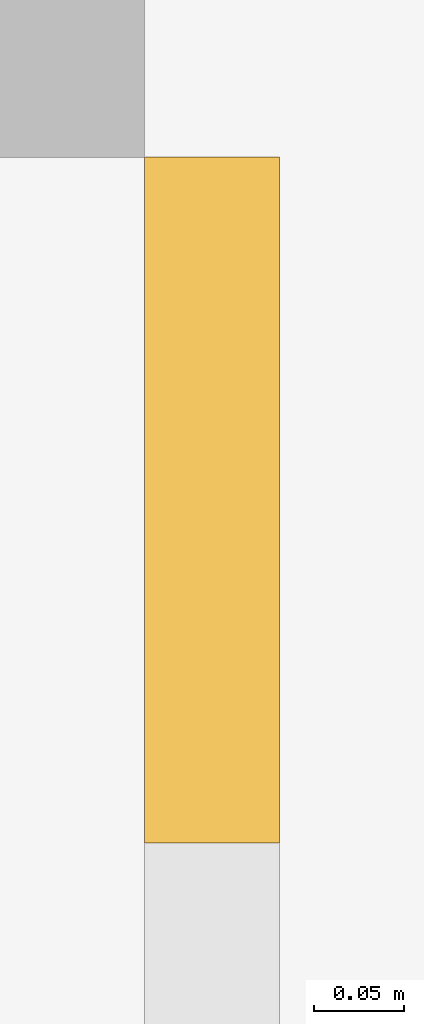
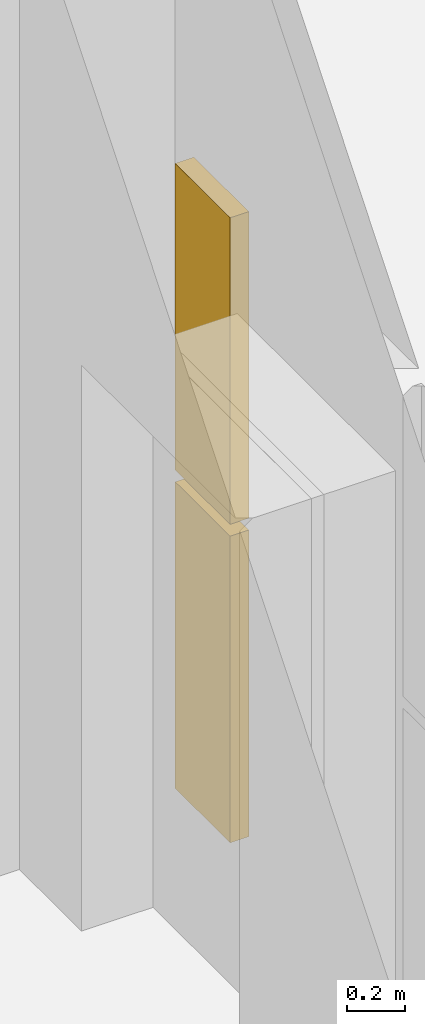
# One storey, part 129 of 139: 2 coverings.
"""IFC4 building model written with IfcOpenShell, lengths in metres."""

from ifc_helpers import new_model, si_unit, direction, frame, origin, origin_2d, place, context, subcontext, project, spatial, rectangle, extrude, material, layer, layer_set, type_object, element, save


model = new_model("IFC4")

# Units and contexts
model_context = context("Model", 3, precision=1e-05, world=origin(), true_north=direction((0.0, 1.0)))
body_context = subcontext(model_context, "Body", "Model", "MODEL_VIEW")
ifc_project = project(units=[si_unit("LENGTHUNIT", "METRE"), si_unit("AREAUNIT", "SQUARE_METRE"), si_unit("VOLUMEUNIT", "CUBIC_METRE"), si_unit("PLANEANGLEUNIT", "RADIAN"), si_unit("MASSUNIT", "GRAM", prefix="KILO")], contexts=[model_context])

# Site, building, storey
site_placement = place(None, origin())
site = spatial("IfcSite", under=ifc_project, at=site_placement, CompositionType="ELEMENT")
building_placement = place(site_placement, origin())
building = spatial("IfcBuilding", under=site, at=building_placement, Name="Verrick Yard Athletic Hall", CompositionType="ELEMENT")
storey_placement = place(building_placement, origin())
storey = spatial("IfcBuildingStorey", under=building, at=storey_placement, Name="L00", CompositionType="ELEMENT", Elevation=0.0)

# Coverings
ifc_material = material(Name="Tyndall-stone-look precast cladding", Category="masonry")
ifc_layer = layer(ifc_material, 0.125)
ifc_layer_set = layer_set([ifc_layer], Name="Stone cladding")
covering_type = type_object("IfcCoveringType", Name="Stone cladding", PredefinedType="CLADDING", material=ifc_layer_set)
for number, where, z_axis, x_axis, name in (
    (1, (77.237548828125, 107.391357421875, 0.125), (0.0, 0.0, 1.0), (0.0, 1.0, 0.0), "Hall base rustication"),
    (2, (77.237548828125, 107.391357421875, 1.47509765625), (0.0, 0.0, 1.0), (0.0, 1.0, 0.0), "Hall base rustication"),
):
    element("IfcCovering", number, at=place(storey_placement, frame(where, z_axis=z_axis, x_axis=x_axis)), inside=storey, type_object=covering_type, Name=name, PredefinedType="CLADDING", context=body_context, shape_type="SweptSolid", body=[
        extrude(rectangle(XDim=0.380859375, YDim=0.074951171875, at=origin_2d()), origin(), (0.0, 0.0, 1.0), 1.300048828125),
    ])

save(model, "model.ifc")
